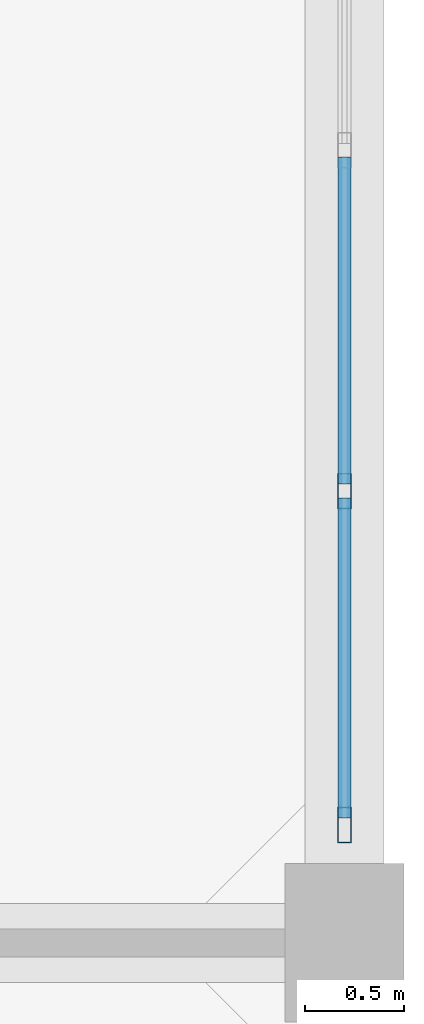
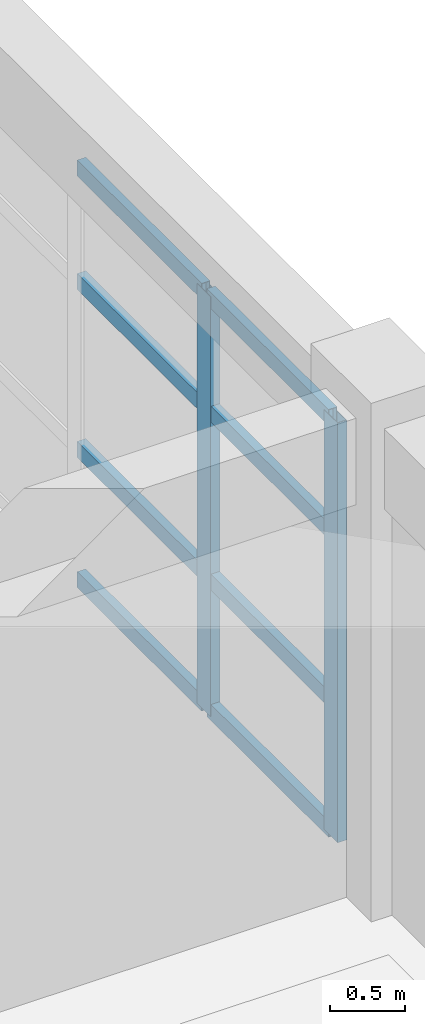
# One storey, part 12 of 30: 10 members, 1 element without a shape of its own.
"""IFC4 building model written with IfcOpenShell, lengths in metres."""

from ifc_helpers import new_model, si_unit, direction, frame, origin, origin_2d, place, context, subcontext, project, spatial, hollow_rectangle, extrude, material, layer, layer_set, material_profile, profile_set, type_object, element, aggregate, save


model = new_model("IFC4")

# Units and contexts
model_context = context("Model", 3, precision=1e-05, world=origin(), true_north=direction((0.0, 1.0)))
body_context = subcontext(model_context, "Body", "Model", "MODEL_VIEW")
ifc_project = project(units=[si_unit("LENGTHUNIT", "METRE"), si_unit("AREAUNIT", "SQUARE_METRE"), si_unit("VOLUMEUNIT", "CUBIC_METRE"), si_unit("PLANEANGLEUNIT", "RADIAN"), si_unit("MASSUNIT", "GRAM", prefix="KILO")], contexts=[model_context])

# Site, building, storey
site_placement = place(None, origin())
site = spatial("IfcSite", under=ifc_project, at=site_placement, CompositionType="ELEMENT")
building_placement = place(site_placement, origin())
building = spatial("IfcBuilding", under=site, at=building_placement, Name="Canggui Botanical Conservatory", CompositionType="ELEMENT")
storey_placement = place(building_placement, frame((0.0, 0.0, 27.60009765625)))
storey = spatial("IfcBuildingStorey", under=building, at=storey_placement, Name="L07", CompositionType="ELEMENT", Elevation=27.60009765625)

# Curtain wall, members
ifc_material = material(Name="Thermally Broken Aluminium", Category="aluminium")
ifc_layer = layer(ifc_material, 0.179931640625, Name="Thermally Broken Aluminium", Category="aluminium")
ifc_layer_set = layer_set([ifc_layer], Name="Thermally Broken Aluminium")
curtain_wall_type = type_object("IfcCurtainWallType", Name="CW-UNIT-A", PredefinedType="USERDEFINED", material=ifc_layer_set)
curtain_wall_placement = place(storey_placement, origin())
curtain_wall = element("IfcCurtainWall", 1, at=curtain_wall_placement, inside=storey, type_object=curtain_wall_type, Name="Facade Curtain Wall CW-TWR-L07-17", ObjectType="UNITISED CURTAIN WALL", PredefinedType="USERDEFINED")
ifc_material_profile_1 = material_profile(ifc_material, hollow_rectangle(XDim=0.070068359375, YDim=0.179931640625, WallThickness=0.00390625, at=origin_2d()), Name="CWM 70x180x4")
ifc_profile_set_1 = profile_set([ifc_material_profile_1], Name="Thermally Broken Aluminium")
member_type_1 = type_object("IfcMemberType", Name="CWM-01", PredefinedType="MULLION", material=ifc_profile_set_1)
member_1_placement = place(storey_placement, frame((177.39990234375, 60.280029296875, 0.0), z_axis=(0.0, 0.0, 1.0), x_axis=(1.0, 0.0, 0.0)))
member_1 = element("IfcMember", 2, at=member_1_placement, type_object=member_type_1, Name="CW-01 mullion 4", PredefinedType="MULLION", context=body_context, shape_type="SweptSolid", body=[
    extrude(hollow_rectangle(XDim=0.070068359375, YDim=0.179931640625, WallThickness=0.00390625, at=origin_2d()), origin(), (0.0, 0.0, 1.0), 3.39990234375),
])
member_2_placement = place(storey_placement, frame((177.39990234375, 58.594970703125, 0.0), z_axis=(0.0, 0.0, 1.0), x_axis=(1.0, 0.0, 0.0)))
member_2 = element("IfcMember", 3, at=member_2_placement, type_object=member_type_1, Name="CW-01 mullion 5", PredefinedType="MULLION", context=body_context, shape_type="SweptSolid", body=[
    extrude(hollow_rectangle(XDim=0.070068359375, YDim=0.179931640625, WallThickness=0.00390625, at=origin_2d()), origin(), (0.0, 0.0, 1.0), 3.39990234375),
])
ifc_material_profile_2 = material_profile(ifc_material, hollow_rectangle(XDim=0.06494140625, YDim=0.1298828125, WallThickness=0.00341796875, at=origin_2d()), Name="CWT 65x130x3.5")
ifc_profile_set_2 = profile_set([ifc_material_profile_2], Name="Thermally Broken Aluminium")
member_type_2 = type_object("IfcMemberType", Name="CWT-01", PredefinedType="USERDEFINED", material=ifc_profile_set_2)
member_3_placement = place(storey_placement, frame((177.39990234375, 61.965087890625, 0.032470703125), z_axis=(0.0, -1.0, 0.0), x_axis=(1.0, 0.0, 0.0)))
member_3 = element("IfcMember", 4, at=member_3_placement, type_object=member_type_2, Name="CW-01 transom 3.1", ObjectType="TRANSOM", PredefinedType="USERDEFINED", context=body_context, shape_type="SweptSolid", body=[
    extrude(hollow_rectangle(XDim=0.06494140625, YDim=0.1298828125, WallThickness=0.00341796875, at=origin_2d()), origin(), (0.0, 0.0, 1.0), 1.650146484375),
])
member_4_placement = place(storey_placement, frame((177.39990234375, 61.965087890625, 1.087890625), z_axis=(0.0, -1.0, 0.0), x_axis=(1.0, 0.0, 0.0)))
member_4 = element("IfcMember", 5, at=member_4_placement, type_object=member_type_2, Name="CW-01 transom 3.2", ObjectType="TRANSOM", PredefinedType="USERDEFINED", context=body_context, shape_type="SweptSolid", body=[
    extrude(hollow_rectangle(XDim=0.06494140625, YDim=0.1298828125, WallThickness=0.00341796875, at=origin_2d()), origin(), (0.0, 0.0, 1.0), 1.650146484375),
])
member_5_placement = place(storey_placement, frame((177.39990234375, 61.965087890625, 2.447998046875), z_axis=(0.0, -1.0, 0.0), x_axis=(1.0, 0.0, 0.0)))
member_5 = element("IfcMember", 6, at=member_5_placement, type_object=member_type_2, Name="CW-01 transom 3.3", ObjectType="TRANSOM", PredefinedType="USERDEFINED", context=body_context, shape_type="SweptSolid", body=[
    extrude(hollow_rectangle(XDim=0.06494140625, YDim=0.1298828125, WallThickness=0.00341796875, at=origin_2d()), origin(), (0.0, 0.0, 1.0), 1.650146484375),
])
member_6_placement = place(storey_placement, frame((177.39990234375, 61.965087890625, 3.367431640625), z_axis=(0.0, -1.0, 0.0), x_axis=(1.0, 0.0, 0.0)))
member_6 = element("IfcMember", 7, at=member_6_placement, type_object=member_type_2, Name="CW-01 transom 3.4", ObjectType="TRANSOM", PredefinedType="USERDEFINED", context=body_context, shape_type="SweptSolid", body=[
    extrude(hollow_rectangle(XDim=0.06494140625, YDim=0.1298828125, WallThickness=0.00341796875, at=origin_2d()), origin(), (0.0, 0.0, 1.0), 1.650146484375),
])
member_7_placement = place(storey_placement, frame((177.39990234375, 60.2451171875, 0.032470703125), z_axis=(0.0, -1.0, 0.0), x_axis=(1.0, 0.0, 0.0)))
member_7 = element("IfcMember", 8, at=member_7_placement, type_object=member_type_2, Name="CW-01 transom 4.1", ObjectType="TRANSOM", PredefinedType="USERDEFINED", context=body_context, shape_type="SweptSolid", body=[
    extrude(hollow_rectangle(XDim=0.06494140625, YDim=0.1298828125, WallThickness=0.00341796875, at=origin_2d()), origin(), (0.0, 0.0, 1.0), 1.615234375),
])
member_8_placement = place(storey_placement, frame((177.39990234375, 60.2451171875, 1.087890625), z_axis=(0.0, -1.0, 0.0), x_axis=(1.0, 0.0, 0.0)))
member_8 = element("IfcMember", 9, at=member_8_placement, type_object=member_type_2, Name="CW-01 transom 4.2", ObjectType="TRANSOM", PredefinedType="USERDEFINED", context=body_context, shape_type="SweptSolid", body=[
    extrude(hollow_rectangle(XDim=0.06494140625, YDim=0.1298828125, WallThickness=0.00341796875, at=origin_2d()), origin(), (0.0, 0.0, 1.0), 1.615234375),
])
member_9_placement = place(storey_placement, frame((177.39990234375, 60.2451171875, 2.447998046875), z_axis=(0.0, -1.0, 0.0), x_axis=(1.0, 0.0, 0.0)))
member_9 = element("IfcMember", 10, at=member_9_placement, type_object=member_type_2, Name="CW-01 transom 4.3", ObjectType="TRANSOM", PredefinedType="USERDEFINED", context=body_context, shape_type="SweptSolid", body=[
    extrude(hollow_rectangle(XDim=0.06494140625, YDim=0.1298828125, WallThickness=0.00341796875, at=origin_2d()), origin(), (0.0, 0.0, 1.0), 1.615234375),
])
member_10_placement = place(storey_placement, frame((177.39990234375, 60.2451171875, 3.367431640625), z_axis=(0.0, -1.0, 0.0), x_axis=(1.0, 0.0, 0.0)))
member_10 = element("IfcMember", 11, at=member_10_placement, type_object=member_type_2, Name="CW-01 transom 4.4", ObjectType="TRANSOM", PredefinedType="USERDEFINED", context=body_context, shape_type="SweptSolid", body=[
    extrude(hollow_rectangle(XDim=0.06494140625, YDim=0.1298828125, WallThickness=0.00341796875, at=origin_2d()), origin(), (0.0, 0.0, 1.0), 1.615234375),
])
aggregate(curtain_wall, [member_1, member_2, member_3, member_4, member_5, member_6, member_7, member_8, member_9, member_10])

save(model, "model.ifc")
